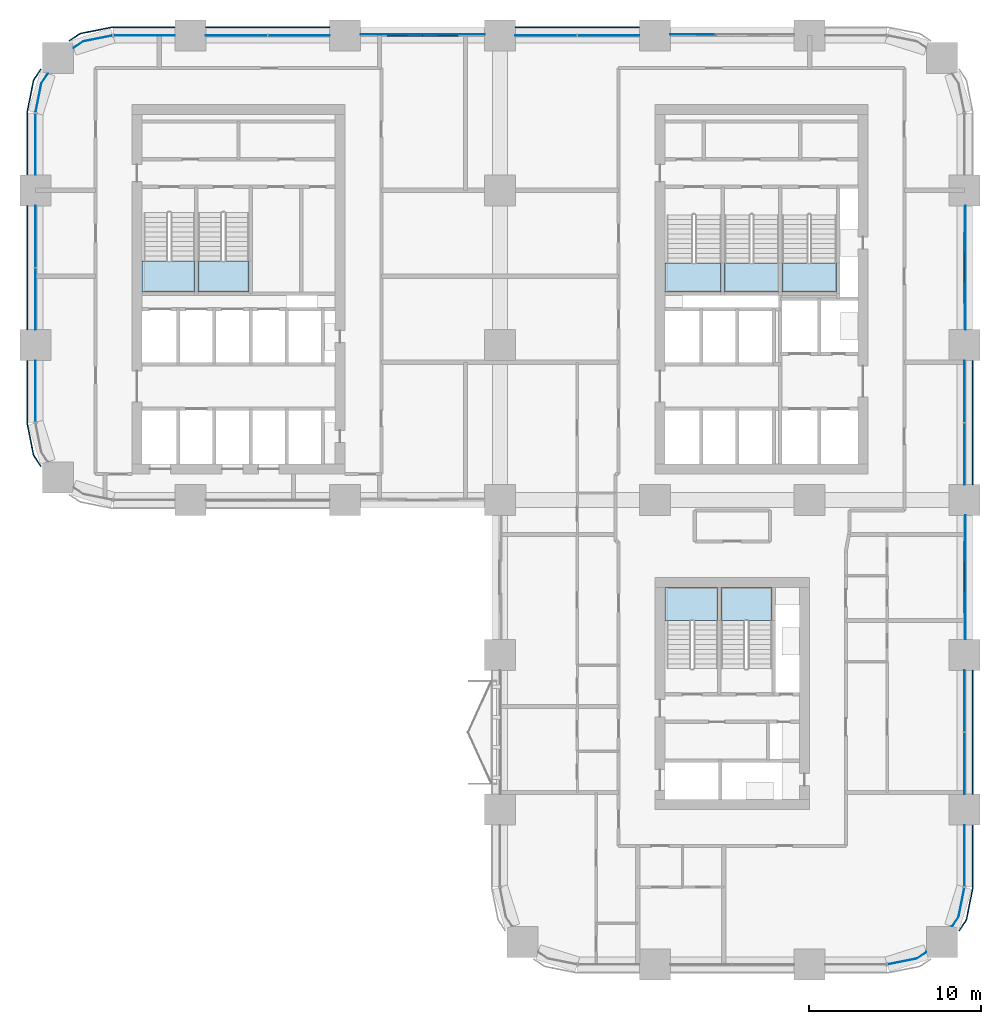
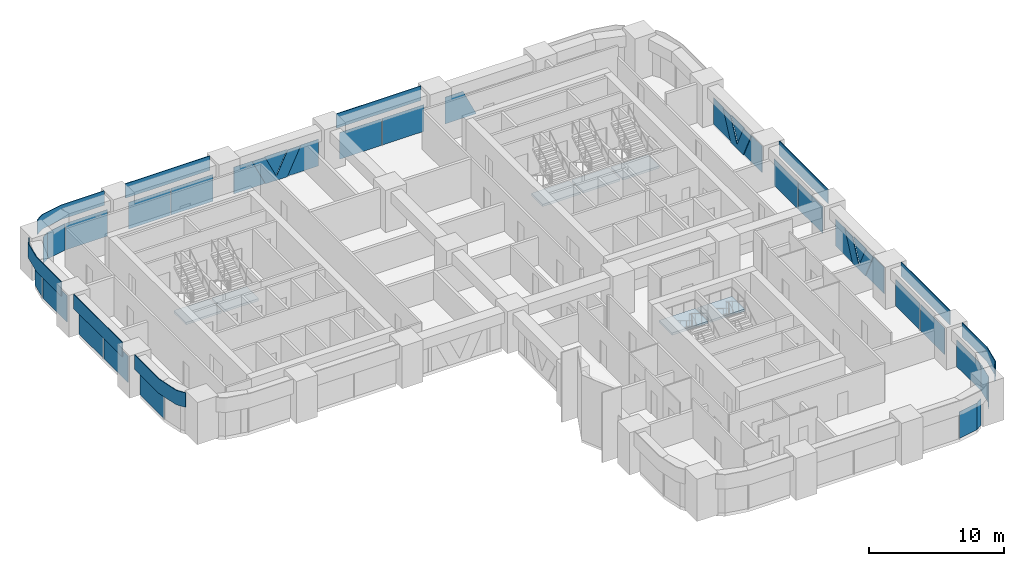
# One storey, part 11 of 19: 40 plates, 7 slabs, 21 elements without a shape of their own.
"""IFC4 building model written with IfcOpenShell, lengths in metres."""

import ifcopenshell
import ifcopenshell.guid

model = None  # the IFC model being written
_history = None  # IfcOwnerHistory: only IFC2X3 demands one
_inside = {}  # id of a spatial element -> (the spatial element, [elements in it])
_under = {}  # id of a project, library or spatial element -> (it, [spatial elements below it])
_declared = {}  # id of a project -> (the project, [libraries it declares])
_typed = {}  # id of a type object -> (the type object, [elements of that type])
_made_of = {}  # id of a material, layer set ... -> (it, [elements and type objects made of it])


def new_model(schema):
    """Start an empty IFC model of exactly this schema.

    Asked for "IFC4X3", IfcOpenShell would pick the latest addendum, in which some entities
    have other attributes; the version numbers below select the first issue.
    IFC2X3 requires an IfcOwnerHistory on every rooted entity: one is made here for all.
    """
    global model, _history
    if schema == "IFC4X3":
        model = ifcopenshell.file(schema_version=(4, 3, 0, 0))
    else:
        model = ifcopenshell.file(schema=schema)
    _inside.clear()
    _under.clear()
    _declared.clear()
    _typed.clear()
    _made_of.clear()
    _history = None
    if model.schema == "IFC2X3":
        org = make("IfcOrganization", Name="unknown")
        user = make(
            "IfcPersonAndOrganization",
            ThePerson=make("IfcPerson", FamilyName="unknown"),
            TheOrganization=org,
        )
        app = make(
            "IfcApplication",
            ApplicationDeveloper=org,
            Version="unknown",
            ApplicationFullName="unknown",
            ApplicationIdentifier="unknown",
        )
        _history = make(
            "IfcOwnerHistory",
            OwningUser=user,
            OwningApplication=app,
            ChangeAction="ADDED",
            CreationDate=0,
        )
    return model


def make(cls, **values):
    """One entity of the class cls with the attributes given. An attribute that is None is left unset."""
    return model.create_entity(
        cls, **{name: value for name, value in values.items() if value is not None}
    )


def rooted(cls, **values):
    """An entity with a GlobalId (a new one), such as an element, a storey or a relation."""
    return make(cls, GlobalId=ifcopenshell.guid.new(), OwnerHistory=_history, **values)


def si_unit(unit_type, name, prefix=None):
    """IfcSIUnit, for example si_unit("LENGTHUNIT", "METRE", prefix="MILLI")."""
    return make("IfcSIUnit", UnitType=unit_type, Prefix=prefix, Name=name)


def assignment(units):
    """IfcUnitAssignment: the units of a project."""
    return None if units is None else make("IfcUnitAssignment", Units=units)


def point(xyz):
    """IfcCartesianPoint."""
    return None if xyz is None else make("IfcCartesianPoint", Coordinates=xyz)


def direction(xyz):
    """IfcDirection."""
    return None if xyz is None else make("IfcDirection", DirectionRatios=xyz)


def frame(location, z_axis=None, x_axis=None):
    """IfcAxis2Placement3D, a coordinate frame: its origin and axes. An axis left out is left unset."""
    return make(
        "IfcAxis2Placement3D",
        Location=point(location),
        Axis=direction(z_axis),
        RefDirection=direction(x_axis),
    )


def frame_2d(location, x_axis=None):
    """IfcAxis2Placement2D, a coordinate frame in the plane: its origin and x axis."""
    return make(
        "IfcAxis2Placement2D", Location=point(location), RefDirection=direction(x_axis)
    )


def origin():
    """The frame at (0, 0, 0) with its axes left unset."""
    return frame((0.0, 0.0, 0.0))


def origin_2d():
    """The frame at (0, 0) in the plane with its x axis left unset."""
    return frame_2d((0.0, 0.0))


def place(relative_to, where):
    """IfcLocalPlacement: puts the frame where relative to a parent placement (None: the world)."""
    return make(
        "IfcLocalPlacement", PlacementRelTo=relative_to, RelativePlacement=where
    )


def context(
    kind, dimensions, precision=None, world=None, true_north=None, identifier=None
):
    """IfcGeometricRepresentationContext, for example the 3D "Model" context."""
    return make(
        "IfcGeometricRepresentationContext",
        ContextIdentifier=identifier,
        ContextType=kind,
        CoordinateSpaceDimension=dimensions,
        Precision=precision,
        WorldCoordinateSystem=world,
        TrueNorth=true_north,
    )


def subcontext(parent, identifier, kind, view, scale=None):
    """IfcGeometricRepresentationSubContext, for example "Body" below "Model"."""
    return make(
        "IfcGeometricRepresentationSubContext",
        ContextIdentifier=identifier,
        ContextType=kind,
        ParentContext=parent,
        TargetScale=scale,
        TargetView=view,
    )


def project(units=None, contexts=None):
    """IfcProject with its units and contexts."""
    return rooted(
        "IfcProject",
        Name="project",
        RepresentationContexts=contexts,
        UnitsInContext=assignment(units),
    )


def spatial(cls, under=None, at=None, **own):
    """A site, building, storey or space (cls), placed at a placement, below another one or the project."""
    s = rooted(cls, ObjectPlacement=at, **own)
    if under is not None:
        _under.setdefault(under.id(), (under, []))[1].append(s)
    return s


def polyline(points):
    """IfcPolyline through the points."""
    return make("IfcPolyline", Points=[point(p) for p in points])


def profile(cls, at=None, kind="AREA", **sizes):
    """A parametric profile (cls). Its sizes go by their IFC names, for example OverallWidth=200.0."""
    return make(cls, ProfileType=kind, Position=at, **sizes)


def rectangle(**sizes):
    """IfcRectangleProfileDef."""
    return profile("IfcRectangleProfileDef", **sizes)


def outline(outer, holes=None, kind="AREA"):
    """IfcArbitraryClosedProfileDef: a profile drawn as a closed curve; with holes, ...WithVoids."""
    if holes is None:
        return make("IfcArbitraryClosedProfileDef", ProfileType=kind, OuterCurve=outer)
    return make(
        "IfcArbitraryProfileDefWithVoids",
        ProfileType=kind,
        OuterCurve=outer,
        InnerCurves=holes,
    )


def extrude(swept, where, along, depth):
    """IfcExtrudedAreaSolid: the profile swept, set in the frame where, extruded along a direction by depth."""
    return make(
        "IfcExtrudedAreaSolid",
        SweptArea=swept,
        Position=where,
        ExtrudedDirection=direction(along),
        Depth=depth,
    )


def shape(context_of_items, identifier, shape_type, items):
    """IfcShapeRepresentation: the items that make up one representation, for example the "Body"."""
    return make(
        "IfcShapeRepresentation",
        ContextOfItems=context_of_items,
        RepresentationIdentifier=identifier,
        RepresentationType=shape_type,
        Items=items,
    )


def material(Name=None, Category=None):
    """IfcMaterial."""
    return make("IfcMaterial", Name=Name, Category=Category)


def layer(
    of_material, thickness, ventilated=None, Name=None, Category=None, Priority=None
):
    """IfcMaterialLayer: one layer of a wall or slab, of a material (None: an air gap)."""
    return make(
        "IfcMaterialLayer",
        Material=of_material,
        LayerThickness=thickness,
        IsVentilated=ventilated,
        Name=Name,
        Category=Category,
        Priority=Priority,
    )


def layer_set(layers, Name=None):
    """IfcMaterialLayerSet."""
    return make("IfcMaterialLayerSet", MaterialLayers=layers, LayerSetName=Name)


def made_of(thing, what):
    """Note that an element or type object is made of a material, layer set ...; save() writes the relation."""
    if what is not None:
        _made_of.setdefault(what.id(), (what, []))[1].append(thing)
    return thing


def type_object(cls, material=None, **own):
    """A type object (cls), such as IfcWallType, which elements share."""
    return made_of(rooted(cls, **own), material)


def element(
    cls,
    number,
    at=None,
    inside=None,
    cuts=None,
    type_object=None,
    material=None,
    context=None,
    identifier="Body",
    shape_type=None,
    held_by="IfcProductDefinitionShape",
    body=None,
    shapes=None,
    **own,
):
    """One element of the class cls, such as IfcWall. Its Tag is "e" and its number.

    at: its placement. inside: the storey or other place that contains it. cuts: it is an
    opening in that element (IfcRelVoidsElement). A single representation is given by context,
    identifier, shape_type and body (its items); several are given by shapes. held_by: the class
    of the entity that holds the representations. save() writes the other relations.
    """
    e = rooted(cls, Tag="e%d" % number, ObjectPlacement=at, **own)
    if body is not None:
        shapes = [shape(context, identifier, shape_type, body)]
    if shapes is not None:
        e.Representation = make(held_by, Representations=shapes)
    if inside is not None:
        _inside.setdefault(inside.id(), (inside, []))[1].append(e)
    if cuts is not None:
        rooted(
            "IfcRelVoidsElement", RelatingBuildingElement=cuts, RelatedOpeningElement=e
        )
    if type_object is not None:
        _typed.setdefault(type_object.id(), (type_object, []))[1].append(e)
    return made_of(e, material)


def aggregate(whole, parts):
    """IfcRelAggregates: a whole, such as a stair, and the parts it consists of."""
    return rooted("IfcRelAggregates", RelatingObject=whole, RelatedObjects=parts)


def save(model, path):
    """Write the relations noted so far, then the file.

    IfcRelAggregates (storeys below a building ...), IfcRelContainedInSpatialStructure (elements
    in a storey), IfcRelDefinesByType, IfcRelAssociatesMaterial and IfcRelDeclares: one each for
    every whole, place, type object, material and project.
    """
    for whole, parts in _under.values():
        aggregate(whole, parts)
    for where, things in _inside.values():
        rooted(
            "IfcRelContainedInSpatialStructure",
            RelatedElements=things,
            RelatingStructure=where,
        )
    for kind, things in _typed.values():
        rooted("IfcRelDefinesByType", RelatedObjects=things, RelatingType=kind)
    for what, things in _made_of.values():
        rooted("IfcRelAssociatesMaterial", RelatedObjects=things, RelatingMaterial=what)
    for by, libraries in _declared.values():
        rooted("IfcRelDeclares", RelatingContext=by, RelatedDefinitions=libraries)
    model.write(path)


model = new_model("IFC4")

# Units and contexts
model_context = context("Model", 3, precision=1e-05, world=origin(), true_north=direction((0.0, 1.0)))
body_context = subcontext(model_context, "Body", "Model", "MODEL_VIEW")
ifc_project = project(units=[si_unit("LENGTHUNIT", "METRE"), si_unit("AREAUNIT", "SQUARE_METRE"), si_unit("VOLUMEUNIT", "CUBIC_METRE"), si_unit("PLANEANGLEUNIT", "RADIAN"), si_unit("MASSUNIT", "GRAM", prefix="KILO")], contexts=[model_context])

# Site, building, storey
site_placement = place(None, origin())
site = spatial("IfcSite", under=ifc_project, at=site_placement, CompositionType="ELEMENT")
building_placement = place(site_placement, origin())
building = spatial("IfcBuilding", under=site, at=building_placement, Name="Tessera Arch", CompositionType="ELEMENT")
storey_placement = place(building_placement, frame((0.0, 0.0, 85.39990234375)))
storey = spatial("IfcBuildingStorey", under=building, at=storey_placement, Name="L19", CompositionType="ELEMENT", Elevation=85.39990234375)

# Curtain wall, plates
ifc_material_1 = material(Name="CW1 curtain wall")
curtain_wall_type_1 = type_object("IfcCurtainWallType", Name="CW1 curtain wall", PredefinedType="NOTDEFINED", material=ifc_material_1)
curtain_wall_1_placement = place(storey_placement, origin())
curtain_wall_1 = element("IfcCurtainWall", 1, at=curtain_wall_1_placement, inside=storey, type_object=curtain_wall_type_1, Name="CW1 curtain wall N54.0/1 L19", PredefinedType="NOTDEFINED")
ifc_material_2 = material(Name="Clear low-e glass", Category="glass")
ifc_material_3 = material(Name="Clear low-e glass", Category="glass")
ifc_layer_1 = layer(ifc_material_3, 0.028076171875)
ifc_layer_set_1 = layer_set([ifc_layer_1], Name="CW1 glass panel")
plate_type_1 = type_object("IfcPlateType", Name="CW1 glass panel", PredefinedType="CURTAIN_PANEL", material=ifc_layer_set_1)
plate_1_placement = place(storey_placement, frame((33.31494140625, 54.0, 0.000244140625), z_axis=(0.0, 0.0, 1.0), x_axis=(-1.0, 0.0, 0.0)))
plate_1 = element("IfcPlate", 2, at=plate_1_placement, type_object=plate_type_1, material=ifc_material_2, Name="CW1 glass panel N54.0/1 1.1.1", PredefinedType="CURTAIN_PANEL", context=body_context, shape_type="SweptSolid", body=[
    extrude(rectangle(XDim=3.570068359375, YDim=0.028076171875, at=origin_2d()), origin(), (0.0, 0.0, 1.0), 2.39990234375),
])
plate_2_placement = place(storey_placement, frame((29.68505859375, 54.0, 0.000244140625), z_axis=(0.0, 0.0, 1.0), x_axis=(-1.0, 0.0, 0.0)))
plate_2 = element("IfcPlate", 3, at=plate_2_placement, type_object=plate_type_1, material=ifc_material_2, Name="CW1 glass panel N54.0/1 1.2.1", PredefinedType="CURTAIN_PANEL", context=body_context, shape_type="SweptSolid", body=[
    extrude(rectangle(XDim=3.570068359375, YDim=0.028076171875, at=origin_2d()), origin(), (0.0, 0.0, 1.0), 2.39990234375),
])

curtain_wall_2_placement = place(storey_placement, origin())
curtain_wall_2 = element("IfcCurtainWall", 4, at=curtain_wall_2_placement, inside=storey, type_object=curtain_wall_type_1, Name="CW1 curtain wall N54.0/3 L19", PredefinedType="NOTDEFINED")
plate_3_placement = place(storey_placement, frame((15.31494140625, 54.0, 0.000244140625), z_axis=(0.0, 0.0, 1.0), x_axis=(-1.0, 0.0, 0.0)))
plate_3 = element("IfcPlate", 5, at=plate_3_placement, type_object=plate_type_1, material=ifc_material_2, Name="CW1 glass panel N54.0/3 1.1.1", PredefinedType="CURTAIN_PANEL", context=body_context, shape_type="SweptSolid", body=[
    extrude(rectangle(XDim=3.570068359375, YDim=0.028076171875, at=origin_2d()), origin(), (0.0, 0.0, 1.0), 2.39990234375),
])
plate_4_placement = place(storey_placement, frame((11.68505859375, 54.0, 0.000244140625), z_axis=(0.0, 0.0, 1.0), x_axis=(-1.0, 0.0, 0.0)))
plate_4 = element("IfcPlate", 6, at=plate_4_placement, type_object=plate_type_1, material=ifc_material_2, Name="CW1 glass panel N54.0/3 1.2.1", PredefinedType="CURTAIN_PANEL", context=body_context, shape_type="SweptSolid", body=[
    extrude(rectangle(XDim=3.570068359375, YDim=0.028076171875, at=origin_2d()), origin(), (0.0, 0.0, 1.0), 2.39990234375),
])

curtain_wall_3_placement = place(storey_placement, origin())
curtain_wall_3 = element("IfcCurtainWall", 7, at=curtain_wall_3_placement, inside=storey, type_object=curtain_wall_type_1, Name="CW1 curtain wall W0.27/1 L19", PredefinedType="NOTDEFINED")
plate_5_placement = place(storey_placement, frame((0.0, 42.31494140625, 0.000244140625), z_axis=(0.0, 0.0, 1.0), x_axis=(0.0, -1.0, 0.0)))
plate_5 = element("IfcPlate", 8, at=plate_5_placement, type_object=plate_type_1, material=ifc_material_2, Name="CW1 glass panel W0.27/1 1.1.1", PredefinedType="CURTAIN_PANEL", context=body_context, shape_type="SweptSolid", body=[
    extrude(rectangle(XDim=3.570068359375, YDim=0.028076171875, at=origin_2d()), origin(), (0.0, 0.0, 1.0), 2.39990234375),
])
plate_6_placement = place(storey_placement, frame((0.0, 38.68505859375, 0.000244140625), z_axis=(0.0, 0.0, 1.0), x_axis=(0.0, -1.0, 0.0)))
plate_6 = element("IfcPlate", 9, at=plate_6_placement, type_object=plate_type_1, material=ifc_material_2, Name="CW1 glass panel W0.27/1 1.2.1", PredefinedType="CURTAIN_PANEL", context=body_context, shape_type="SweptSolid", body=[
    extrude(rectangle(XDim=3.570068359375, YDim=0.028076171875, at=origin_2d()), origin(), (0.0, 0.0, 1.0), 2.39990234375),
])

curtain_wall_4_placement = place(storey_placement, origin())
curtain_wall_4 = element("IfcCurtainWall", 10, at=curtain_wall_4_placement, inside=storey, type_object=curtain_wall_type_1, Name="CW1 curtain wall E54.0/1 L19", PredefinedType="NOTDEFINED")
plate_7_placement = place(storey_placement, frame((54.0, 11.68505859375, 0.000244140625), z_axis=(0.0, 0.0, 1.0), x_axis=(0.0, 1.0, 0.0)))
plate_7 = element("IfcPlate", 11, at=plate_7_placement, type_object=plate_type_1, material=ifc_material_2, Name="CW1 glass panel E54.0/1 1.1.1", PredefinedType="CURTAIN_PANEL", context=body_context, shape_type="SweptSolid", body=[
    extrude(rectangle(XDim=3.570068359375, YDim=0.028076171875, at=origin_2d()), origin(), (0.0, 0.0, 1.0), 2.39990234375),
])
plate_8_placement = place(storey_placement, frame((54.0, 15.31494140625, 0.000244140625), z_axis=(0.0, 0.0, 1.0), x_axis=(0.0, 1.0, 0.0)))
plate_8 = element("IfcPlate", 12, at=plate_8_placement, type_object=plate_type_1, material=ifc_material_2, Name="CW1 glass panel E54.0/1 1.2.1", PredefinedType="CURTAIN_PANEL", context=body_context, shape_type="SweptSolid", body=[
    extrude(rectangle(XDim=3.570068359375, YDim=0.028076171875, at=origin_2d()), origin(), (0.0, 0.0, 1.0), 2.39990234375),
])

curtain_wall_5_placement = place(storey_placement, origin())
curtain_wall_5 = element("IfcCurtainWall", 13, at=curtain_wall_5_placement, inside=storey, type_object=curtain_wall_type_1, Name="CW1 curtain wall E54.0/3 L19", PredefinedType="NOTDEFINED")
plate_9_placement = place(storey_placement, frame((54.0, 29.68505859375, 0.000244140625), z_axis=(0.0, 0.0, 1.0), x_axis=(0.0, 1.0, 0.0)))
plate_9 = element("IfcPlate", 14, at=plate_9_placement, type_object=plate_type_1, material=ifc_material_2, Name="CW1 glass panel E54.0/3 1.1.1", PredefinedType="CURTAIN_PANEL", context=body_context, shape_type="SweptSolid", body=[
    extrude(rectangle(XDim=3.570068359375, YDim=0.028076171875, at=origin_2d()), origin(), (0.0, 0.0, 1.0), 2.39990234375),
])
plate_10_placement = place(storey_placement, frame((54.0, 33.31494140625, 0.000244140625), z_axis=(0.0, 0.0, 1.0), x_axis=(0.0, 1.0, 0.0)))
plate_10 = element("IfcPlate", 15, at=plate_10_placement, type_object=plate_type_1, material=ifc_material_2, Name="CW1 glass panel E54.0/3 1.2.1", PredefinedType="CURTAIN_PANEL", context=body_context, shape_type="SweptSolid", body=[
    extrude(rectangle(XDim=3.570068359375, YDim=0.028076171875, at=origin_2d()), origin(), (0.0, 0.0, 1.0), 2.39990234375),
])

# Plate
ifc_material_4 = material(Name="Pale anodised aluminium panel", Category="aluminium")
ifc_layer_2 = layer(ifc_material_4, 0.06005859375)
ifc_layer_set_2 = layer_set([ifc_layer_2], Name="CW1 spandrel panel")
plate_type_2 = type_object("IfcPlateType", Name="CW1 spandrel panel", PredefinedType="CURTAIN_PANEL", material=ifc_layer_set_2)
plate_11_placement = place(storey_placement, frame((31.5, 54.47998046875, 2.5), z_axis=(0.0, 0.0, 1.0), x_axis=(-1.0, 0.0, 0.0)))
plate_11 = element("IfcPlate", 16, at=plate_11_placement, type_object=plate_type_2, Name="CW1 spandrel panel N54.0/1", PredefinedType="CURTAIN_PANEL", context=body_context, shape_type="SweptSolid", body=[
    extrude(rectangle(XDim=7.199951171875, YDim=0.06005859375, at=origin_2d()), origin(), (0.0, 0.0, 1.0), 1.300048828125),
])

aggregate(curtain_wall_1, [plate_1, plate_2, plate_11])

plate_12_placement = place(storey_placement, frame((13.5, 54.47998046875, 2.5), z_axis=(0.0, 0.0, 1.0), x_axis=(-1.0, 0.0, 0.0)))
plate_12 = element("IfcPlate", 17, at=plate_12_placement, type_object=plate_type_2, Name="CW1 spandrel panel N54.0/3", PredefinedType="CURTAIN_PANEL", context=body_context, shape_type="SweptSolid", body=[
    extrude(rectangle(XDim=7.199951171875, YDim=0.06005859375, at=origin_2d()), origin(), (0.0, 0.0, 1.0), 1.300048828125),
])

aggregate(curtain_wall_2, [plate_3, plate_4, plate_12])

plate_13_placement = place(storey_placement, frame((-0.47998046875, 40.5, 2.5), z_axis=(0.0, 0.0, 1.0), x_axis=(0.0, -1.0, 0.0)))
plate_13 = element("IfcPlate", 18, at=plate_13_placement, type_object=plate_type_2, Name="CW1 spandrel panel W0.27/1", PredefinedType="CURTAIN_PANEL", context=body_context, shape_type="SweptSolid", body=[
    extrude(rectangle(XDim=7.199951171875, YDim=0.06005859375, at=origin_2d()), origin(), (0.0, 0.0, 1.0), 1.300048828125),
])

aggregate(curtain_wall_3, [plate_5, plate_6, plate_13])

plate_14_placement = place(storey_placement, frame((54.47998046875, 13.5, 2.5), z_axis=(0.0, 0.0, 1.0), x_axis=(0.0, 1.0, 0.0)))
plate_14 = element("IfcPlate", 19, at=plate_14_placement, type_object=plate_type_2, Name="CW1 spandrel panel E54.0/1", PredefinedType="CURTAIN_PANEL", context=body_context, shape_type="SweptSolid", body=[
    extrude(rectangle(XDim=7.199951171875, YDim=0.06005859375, at=origin_2d()), origin(), (0.0, 0.0, 1.0), 1.300048828125),
])

aggregate(curtain_wall_4, [plate_7, plate_8, plate_14])

plate_15_placement = place(storey_placement, frame((54.47998046875, 31.5, 2.5), z_axis=(0.0, 0.0, 1.0), x_axis=(0.0, 1.0, 0.0)))
plate_15 = element("IfcPlate", 20, at=plate_15_placement, type_object=plate_type_2, Name="CW1 spandrel panel E54.0/3", PredefinedType="CURTAIN_PANEL", context=body_context, shape_type="SweptSolid", body=[
    extrude(rectangle(XDim=7.199951171875, YDim=0.06005859375, at=origin_2d()), origin(), (0.0, 0.0, 1.0), 1.300048828125),
])

aggregate(curtain_wall_5, [plate_9, plate_10, plate_15])

# Curtain wall, plates
ifc_material_5 = material(Name="CW2 curtain wall")
curtain_wall_type_2 = type_object("IfcCurtainWallType", Name="CW2 curtain wall", PredefinedType="NOTDEFINED", material=ifc_material_5)
curtain_wall_6_placement = place(storey_placement, origin())
curtain_wall_6 = element("IfcCurtainWall", 21, at=curtain_wall_6_placement, inside=storey, type_object=curtain_wall_type_2, Name="CW2 curtain wall N54.0/4 L19", PredefinedType="NOTDEFINED")
ifc_material_6 = material(Name="Clear low-e glass", Category="glass")
ifc_layer_3 = layer(ifc_material_6, 0.028076171875)
ifc_layer_set_3 = layer_set([ifc_layer_3], Name="CW2 glass panel")
plate_type_3 = type_object("IfcPlateType", Name="CW2 glass panel", PredefinedType="CURTAIN_PANEL", material=ifc_layer_set_3)
plate_16_placement = place(storey_placement, frame((6.320068359375, 54.0, 0.000244140625), z_axis=(0.0, 0.0, 1.0), x_axis=(-1.0, 0.0, 0.0)))
plate_16 = element("IfcPlate", 22, at=plate_16_placement, type_object=plate_type_3, material=ifc_material_2, Name="CW2 glass panel N54.0/4 1.1", PredefinedType="CURTAIN_PANEL", context=body_context, shape_type="SweptSolid", body=[
    extrude(rectangle(XDim=3.56005859375, YDim=0.028076171875, at=origin_2d()), origin(), (0.0, 0.0, 1.0), 2.39990234375),
])
plate_17_placement = place(storey_placement, origin())
plate_17 = element("IfcPlate", 23, at=plate_17_placement, type_object=plate_type_3, material=ifc_material_2, Name="CW2 curved glass panel N54.0/4 2.1", PredefinedType="CURTAIN_PANEL", context=body_context, shape_type="SweptSolid", body=[
    extrude(outline(polyline([(2.783447265625, 53.644287109375), (4.46337890625, 53.978515625), (4.4580078125, 54.005859375), (2.7724609375, 53.670654296875), (2.210205078125, 53.294921875), (2.225830078125, 53.271728515625), (2.783447265625, 53.644287109375)])), origin(), (0.0, 0.0, 1.0), 2.400146484375),
])

curtain_wall_7_placement = place(storey_placement, origin())
curtain_wall_7 = element("IfcCurtainWall", 24, at=curtain_wall_7_placement, inside=storey, type_object=curtain_wall_type_2, Name="CW2 curtain wall W0.27/0 L19", PredefinedType="NOTDEFINED")
plate_18_placement = place(storey_placement, frame((0.0, 47.679931640625, 0.000244140625), z_axis=(0.0, 0.0, 1.0), x_axis=(0.0, -1.0, 0.0)))
plate_18 = element("IfcPlate", 25, at=plate_18_placement, type_object=plate_type_3, material=ifc_material_2, Name="CW2 glass panel W0.27/0 1.1", PredefinedType="CURTAIN_PANEL", context=body_context, shape_type="SweptSolid", body=[
    extrude(rectangle(XDim=3.56005859375, YDim=0.028076171875, at=origin_2d()), origin(), (0.0, 0.0, 1.0), 2.39990234375),
])
plate_19_placement = place(storey_placement, origin())
plate_19 = element("IfcPlate", 26, at=plate_19_placement, type_object=plate_type_3, material=ifc_material_2, Name="CW2 curved glass panel W0.27/0 2.1", PredefinedType="CURTAIN_PANEL", context=body_context, shape_type="SweptSolid", body=[
    extrude(outline(polyline([(0.355712890625, 51.216552734375), (0.728271484375, 51.774169921875), (0.705078125, 51.789794921875), (0.329345703125, 51.2275390625), (-0.005859375, 49.5419921875), (0.021484375, 49.53662109375), (0.355712890625, 51.216552734375)])), origin(), (0.0, 0.0, 1.0), 2.400146484375),
])

# Curtain wall, plate
curtain_wall_8_placement = place(storey_placement, origin())
curtain_wall_8 = element("IfcCurtainWall", 27, at=curtain_wall_8_placement, inside=storey, type_object=curtain_wall_type_2, Name="CW2 curtain wall W0.27/2 L19", PredefinedType="NOTDEFINED")
plate_20_placement = place(storey_placement, frame((0.0, 33.320068359375, 0.000244140625), z_axis=(0.0, 0.0, 1.0), x_axis=(0.0, -1.0, 0.0)))
plate_20 = element("IfcPlate", 28, at=plate_20_placement, type_object=plate_type_3, material=ifc_material_2, Name="CW2 glass panel W0.27/2 1.1", PredefinedType="CURTAIN_PANEL", context=body_context, shape_type="SweptSolid", body=[
    extrude(rectangle(XDim=3.56005859375, YDim=0.028076171875, at=origin_2d()), origin(), (0.0, 0.0, 1.0), 2.39990234375),
])

curtain_wall_9_placement = place(storey_placement, origin())
curtain_wall_9 = element("IfcCurtainWall", 29, at=curtain_wall_9_placement, inside=storey, type_object=curtain_wall_type_2, Name="CW2 curtain wall S0.27/2 L19", PredefinedType="NOTDEFINED")
plate_21_placement = place(storey_placement, origin())
plate_21 = element("IfcPlate", 30, at=plate_21_placement, type_object=plate_type_3, material=ifc_material_2, Name="CW2 curved glass panel S0.27/2 2.1", PredefinedType="CURTAIN_PANEL", context=body_context, shape_type="SweptSolid", body=[
    extrude(outline(polyline([(51.216552734375, 0.355712890625), (49.53662109375, 0.021484375), (49.5419921875, -0.005859375), (51.2275390625, 0.329345703125), (51.789794921875, 0.705078125), (51.774169921875, 0.728271484375), (51.216552734375, 0.355712890625)])), origin(), (0.0, 0.0, 1.0), 2.400146484375),
])
aggregate(curtain_wall_9, [plate_21])

# Curtain wall, plates
curtain_wall_10_placement = place(storey_placement, origin())
curtain_wall_10 = element("IfcCurtainWall", 31, at=curtain_wall_10_placement, inside=storey, type_object=curtain_wall_type_2, Name="CW2 curtain wall E54.0/0 L19", PredefinedType="NOTDEFINED")
plate_22_placement = place(storey_placement, frame((54.0, 6.320068359375, 0.000244140625), z_axis=(0.0, 0.0, 1.0), x_axis=(0.0, 1.0, 0.0)))
plate_22 = element("IfcPlate", 32, at=plate_22_placement, type_object=plate_type_3, material=ifc_material_2, Name="CW2 glass panel E54.0/0 1.1", PredefinedType="CURTAIN_PANEL", context=body_context, shape_type="SweptSolid", body=[
    extrude(rectangle(XDim=3.56005859375, YDim=0.028076171875, at=origin_2d()), origin(), (0.0, 0.0, 1.0), 2.39990234375),
])
plate_23_placement = place(storey_placement, origin())
plate_23 = element("IfcPlate", 33, at=plate_23_placement, type_object=plate_type_3, material=ifc_material_2, Name="CW2 curved glass panel E54.0/0 2.1", PredefinedType="CURTAIN_PANEL", context=body_context, shape_type="SweptSolid", body=[
    extrude(outline(polyline([(53.644287109375, 2.783447265625), (53.271728515625, 2.225830078125), (53.294921875, 2.210205078125), (53.670654296875, 2.7724609375), (54.005859375, 4.4580078125), (53.978515625, 4.46337890625), (53.644287109375, 2.783447265625)])), origin(), (0.0, 0.0, 1.0), 2.400146484375),
])

# Plate
ifc_material_7 = material(Name="Pale anodised aluminium panel", Category="aluminium")
ifc_layer_4 = layer(ifc_material_7, 0.06005859375)
ifc_layer_set_4 = layer_set([ifc_layer_4], Name="CW2 spandrel panel")
plate_type_4 = type_object("IfcPlateType", Name="CW2 spandrel panel", PredefinedType="CURTAIN_PANEL", material=ifc_layer_set_4)
plate_24_placement = place(storey_placement, frame((0.0, 0.0, 2.5)))
plate_24 = element("IfcPlate", 34, at=plate_24_placement, type_object=plate_type_4, Name="CW2 spandrel panel N54.0/4", PredefinedType="CURTAIN_PANEL", context=body_context, shape_type="SweptSolid", body=[
    extrude(outline(polyline([(4.500732421875, 54.449951171875), (8.10009765625, 54.449951171875), (8.10009765625, 54.510009765625), (4.499267578125, 54.510009765625), (4.449951171875, 54.507568359375), (4.401123046875, 54.500244140625), (2.677734375, 54.157470703125), (2.6298828125, 54.1455078125), (2.582763671875, 54.128662109375), (2.537353515625, 54.107177734375), (2.4951171875, 54.08203125), (1.9345703125, 53.707275390625), (1.968017578125, 53.657470703125), (2.52734375, 54.03125), (2.565673828125, 54.05419921875), (2.605712890625, 54.0732421875), (2.647216796875, 54.088134765625), (2.69091796875, 54.09912109375), (4.411376953125, 54.441162109375), (4.455810546875, 54.44775390625), (4.500732421875, 54.449951171875)])), origin(), (0.0, 0.0, 1.0), 1.300048828125),
])

aggregate(curtain_wall_6, [plate_16, plate_17, plate_24])

plate_25_placement = place(storey_placement, frame((0.0, 0.0, 2.5)))
plate_25 = element("IfcPlate", 35, at=plate_25_placement, type_object=plate_type_4, Name="CW2 spandrel panel W0.27/0", PredefinedType="CURTAIN_PANEL", context=body_context, shape_type="SweptSolid", body=[
    extrude(outline(polyline([(-0.03125, 51.47265625), (0.342529296875, 52.031982421875), (0.292724609375, 52.0654296875), (-0.08203125, 51.5048828125), (-0.107177734375, 51.462646484375), (-0.128662109375, 51.417236328125), (-0.1455078125, 51.3701171875), (-0.157470703125, 51.322265625), (-0.500244140625, 49.598876953125), (-0.507568359375, 49.550048828125), (-0.510009765625, 49.500732421875), (-0.510009765625, 45.89990234375), (-0.449951171875, 45.89990234375), (-0.449951171875, 49.499267578125), (-0.44775390625, 49.544189453125), (-0.441162109375, 49.588623046875), (-0.09912109375, 51.30908203125), (-0.088134765625, 51.352783203125), (-0.0732421875, 51.394287109375), (-0.05419921875, 51.434326171875), (-0.03125, 51.47265625)])), origin(), (0.0, 0.0, 1.0), 1.300048828125),
])

aggregate(curtain_wall_7, [plate_18, plate_19, plate_25])

plate_26_placement = place(storey_placement, frame((0.0, 0.0, 2.5)))
plate_26 = element("IfcPlate", 36, at=plate_26_placement, type_object=plate_type_4, Name="CW2 spandrel panel W0.27/2", PredefinedType="CURTAIN_PANEL", context=body_context, shape_type="SweptSolid", body=[
    extrude(outline(polyline([(-0.449951171875, 31.500732421875), (-0.449951171875, 35.10009765625), (-0.510009765625, 35.10009765625), (-0.510009765625, 31.499267578125), (-0.507568359375, 31.449951171875), (-0.500244140625, 31.401123046875), (-0.157470703125, 29.677734375), (-0.1455078125, 29.6298828125), (-0.128662109375, 29.582763671875), (-0.107177734375, 29.537353515625), (-0.08203125, 29.4951171875), (0.292724609375, 28.9345703125), (0.342529296875, 28.968017578125), (-0.03125, 29.52734375), (-0.05419921875, 29.565673828125), (-0.0732421875, 29.605712890625), (-0.088134765625, 29.647216796875), (-0.09912109375, 29.69091796875), (-0.441162109375, 31.411376953125), (-0.44775390625, 31.455810546875), (-0.449951171875, 31.500732421875)])), origin(), (0.0, 0.0, 1.0), 1.300048828125),
])

aggregate(curtain_wall_8, [plate_20, plate_26])

plate_27_placement = place(storey_placement, frame((0.0, 0.0, 2.5)))
plate_27 = element("IfcPlate", 37, at=plate_27_placement, type_object=plate_type_4, Name="CW2 spandrel panel E54.0/0", PredefinedType="CURTAIN_PANEL", context=body_context, shape_type="SweptSolid", body=[
    extrude(outline(polyline([(54.03125, 2.52734375), (53.657470703125, 1.968017578125), (53.707275390625, 1.9345703125), (54.08203125, 2.4951171875), (54.107177734375, 2.537353515625), (54.128662109375, 2.582763671875), (54.1455078125, 2.6298828125), (54.157470703125, 2.677734375), (54.500244140625, 4.401123046875), (54.507568359375, 4.449951171875), (54.510009765625, 4.499267578125), (54.510009765625, 8.10009765625), (54.449951171875, 8.10009765625), (54.449951171875, 4.500732421875), (54.44775390625, 4.455810546875), (54.441162109375, 4.411376953125), (54.09912109375, 2.69091796875), (54.088134765625, 2.647216796875), (54.0732421875, 2.605712890625), (54.05419921875, 2.565673828125), (54.03125, 2.52734375)])), origin(), (0.0, 0.0, 1.0), 1.300048828125),
])

aggregate(curtain_wall_10, [plate_22, plate_23, plate_27])

# Curtain wall, plate
ifc_material_8 = material(Name="CW3 curtain wall")
curtain_wall_type_3 = type_object("IfcCurtainWallType", Name="CW3 curtain wall", PredefinedType="NOTDEFINED", material=ifc_material_8)
curtain_wall_11_placement = place(storey_placement, origin())
curtain_wall_11 = element("IfcCurtainWall", 38, at=curtain_wall_11_placement, inside=storey, type_object=curtain_wall_type_3, Name="CW3 curtain wall N54.0/2 L19", PredefinedType="NOTDEFINED")
ifc_material_9 = material(Name="Pale anodised aluminium panel", Category="aluminium")
ifc_layer_5 = layer(ifc_material_9, 0.06005859375)
ifc_layer_set_5 = layer_set([ifc_layer_5], Name="CW3 diagonal panel")
plate_type_5 = type_object("IfcPlateType", Name="CW3 diagonal panel", PredefinedType="CURTAIN_PANEL", material=ifc_layer_set_5)
plate_28_placement = place(storey_placement, frame((20.434326171875, 54.030029296875, 2.400146484375), z_axis=(0.0, 1.0, 0.0), x_axis=(1.0, 0.0, 0.0)))
plate_28 = element("IfcPlate", 39, at=plate_28_placement, type_object=plate_type_5, Name="CW3 diagonal panel N54.0/2 1", PredefinedType="CURTAIN_PANEL", context=body_context, shape_type="SweptSolid", body=[
    extrude(outline(polyline([(0.0, 0.0), (1.099853515625, 0.0), (2.065673828125, 2.0390625), (3.031494140625, 0.0), (4.13134765625, 0.0), (2.99462890625, 2.400146484375), (1.13671875, 2.400146484375), (0.0, 0.0)])), origin(), (0.0, 0.0, -1.0), 0.06005859375),
])

curtain_wall_12_placement = place(storey_placement, origin())
curtain_wall_12 = element("IfcCurtainWall", 40, at=curtain_wall_12_placement, inside=storey, type_object=curtain_wall_type_3, Name="CW3 curtain wall E54.0/2 L19", PredefinedType="NOTDEFINED")
plate_29_placement = place(storey_placement, frame((54.030029296875, 24.565673828125, 2.400146484375), z_axis=(1.0, 0.0, 0.0), x_axis=(0.0, -1.0, 0.0)))
plate_29 = element("IfcPlate", 41, at=plate_29_placement, type_object=plate_type_5, Name="CW3 diagonal panel E54.0/2 1", PredefinedType="CURTAIN_PANEL", context=body_context, shape_type="SweptSolid", body=[
    extrude(outline(polyline([(0.0, 0.0), (1.099853515625, 0.0), (2.065673828125, 2.0390625), (3.031494140625, 0.0), (4.13134765625, 0.0), (2.99462890625, 2.400146484375), (1.13671875, 2.400146484375), (0.0, 0.0)])), origin(), (0.0, 0.0, -1.0), 0.06005859375),
])

curtain_wall_13_placement = place(storey_placement, origin())
curtain_wall_13 = element("IfcCurtainWall", 42, at=curtain_wall_13_placement, inside=storey, type_object=curtain_wall_type_3, Name="CW3 curtain wall E54.0/4 L19", PredefinedType="NOTDEFINED")
plate_30_placement = place(storey_placement, frame((54.030029296875, 42.565673828125, 2.400146484375), z_axis=(1.0, 0.0, 0.0), x_axis=(0.0, -1.0, 0.0)))
plate_30 = element("IfcPlate", 43, at=plate_30_placement, type_object=plate_type_5, Name="CW3 diagonal panel E54.0/4 1", PredefinedType="CURTAIN_PANEL", context=body_context, shape_type="SweptSolid", body=[
    extrude(outline(polyline([(0.0, 0.0), (1.099853515625, 0.0), (2.065673828125, 2.0390625), (3.031494140625, 0.0), (4.13134765625, 0.0), (2.99462890625, 2.400146484375), (1.13671875, 2.400146484375), (0.0, 0.0)])), origin(), (0.0, 0.0, -1.0), 0.06005859375),
])

curtain_wall_14_placement = place(storey_placement, origin())
curtain_wall_14 = element("IfcCurtainWall", 44, at=curtain_wall_14_placement, inside=storey, type_object=curtain_wall_type_3, Name="CW3 curtain wall N54.0/0 L19", PredefinedType="NOTDEFINED")
ifc_material_10 = material(Name="Clear low-e glass", Category="glass")
ifc_layer_6 = layer(ifc_material_10, 0.028076171875)
ifc_layer_set_6 = layer_set([ifc_layer_6], Name="CW3 glass panel")
plate_type_6 = type_object("IfcPlateType", Name="CW3 glass panel", PredefinedType="CURTAIN_PANEL", material=ifc_layer_set_6)
plate_31_placement = place(storey_placement, frame((36.89990234375, 54.05810546875, 2.400146484375), z_axis=(0.0, 1.0, 0.0), x_axis=(1.0, 0.0, 0.0)))
plate_31 = element("IfcPlate", 45, at=plate_31_placement, type_object=plate_type_6, material=ifc_material_2, Name="CW3 triangulated glass panel N54.0/0 3", PredefinedType="CURTAIN_PANEL", context=body_context, shape_type="SweptSolid", body=[
    extrude(outline(polyline([(0.0, 0.0), (1.534423828125, 0.0), (2.671142578125, 2.400146484375), (0.0, 2.400146484375), (0.0, 0.0)])), origin(), (0.0, 0.0, -1.0), 0.028076171875),
])
aggregate(curtain_wall_14, [plate_31])

# Plate
plate_32_placement = place(storey_placement, frame((26.10009765625, 54.05810546875, 0.0), z_axis=(0.0, 1.0, 0.0), x_axis=(-1.0, 0.0, 0.0)))
plate_32 = element("IfcPlate", 46, at=plate_32_placement, type_object=plate_type_6, material=ifc_material_2, Name="CW3 triangulated glass panel N54.0/2 1", PredefinedType="CURTAIN_PANEL", context=body_context, shape_type="SweptSolid", body=[
    extrude(outline(polyline([(0.0, 0.0), (2.671142578125, 0.0), (1.534423828125, 2.400146484375), (0.0, 2.400146484375), (0.0, 0.0)])), origin(), (0.0, 0.0, -1.0), 0.028076171875),
])

plate_33_placement = place(storey_placement, frame((21.5341796875, 54.0859375, 2.400146484375), z_axis=(0.0, 1.0, 0.0), x_axis=(1.0, 0.0, 0.0)))
plate_33 = element("IfcPlate", 47, at=plate_33_placement, type_object=plate_type_6, material=ifc_material_2, Name="CW3 triangulated glass panel N54.0/2 2", PredefinedType="CURTAIN_PANEL", context=body_context, shape_type="SweptSolid", body=[
    extrude(outline(polyline([(0.0, 0.0), (1.931640625, 0.0), (0.9658203125, 2.0390625), (0.0, 0.0)])), origin(), (0.0, 0.0, -1.0), 0.028076171875),
])

plate_34_placement = place(storey_placement, frame((18.89990234375, 54.05810546875, 2.400146484375), z_axis=(0.0, 1.0, 0.0), x_axis=(1.0, 0.0, 0.0)))
plate_34 = element("IfcPlate", 48, at=plate_34_placement, type_object=plate_type_6, material=ifc_material_2, Name="CW3 triangulated glass panel N54.0/2 3", PredefinedType="CURTAIN_PANEL", context=body_context, shape_type="SweptSolid", body=[
    extrude(outline(polyline([(0.0, 0.0), (1.534423828125, 0.0), (2.671142578125, 2.400146484375), (0.0, 2.400146484375), (0.0, 0.0)])), origin(), (0.0, 0.0, -1.0), 0.028076171875),
])

aggregate(curtain_wall_11, [plate_32, plate_33, plate_34, plate_28])

plate_35_placement = place(storey_placement, frame((54.05810546875, 18.89990234375, 0.0), z_axis=(1.0, 0.0, 0.0), x_axis=(0.0, 1.0, 0.0)))
plate_35 = element("IfcPlate", 49, at=plate_35_placement, type_object=plate_type_6, material=ifc_material_2, Name="CW3 triangulated glass panel E54.0/2 1", PredefinedType="CURTAIN_PANEL", context=body_context, shape_type="SweptSolid", body=[
    extrude(outline(polyline([(0.0, 0.0), (2.671142578125, 0.0), (1.534423828125, 2.400146484375), (0.0, 2.400146484375), (0.0, 0.0)])), origin(), (0.0, 0.0, -1.0), 0.028076171875),
])

plate_36_placement = place(storey_placement, frame((54.0859375, 23.4658203125, 2.400146484375), z_axis=(1.0, 0.0, 0.0), x_axis=(0.0, -1.0, 0.0)))
plate_36 = element("IfcPlate", 50, at=plate_36_placement, type_object=plate_type_6, material=ifc_material_2, Name="CW3 triangulated glass panel E54.0/2 2", PredefinedType="CURTAIN_PANEL", context=body_context, shape_type="SweptSolid", body=[
    extrude(outline(polyline([(0.0, 0.0), (1.931640625, 0.0), (0.9658203125, 2.0390625), (0.0, 0.0)])), origin(), (0.0, 0.0, -1.0), 0.028076171875),
])

plate_37_placement = place(storey_placement, frame((54.05810546875, 26.10009765625, 2.400146484375), z_axis=(1.0, 0.0, 0.0), x_axis=(0.0, -1.0, 0.0)))
plate_37 = element("IfcPlate", 51, at=plate_37_placement, type_object=plate_type_6, material=ifc_material_2, Name="CW3 triangulated glass panel E54.0/2 3", PredefinedType="CURTAIN_PANEL", context=body_context, shape_type="SweptSolid", body=[
    extrude(outline(polyline([(0.0, 0.0), (1.534423828125, 0.0), (2.671142578125, 2.400146484375), (0.0, 2.400146484375), (0.0, 0.0)])), origin(), (0.0, 0.0, -1.0), 0.028076171875),
])

aggregate(curtain_wall_12, [plate_35, plate_36, plate_37, plate_29])

plate_38_placement = place(storey_placement, frame((54.05810546875, 36.89990234375, 0.0), z_axis=(1.0, 0.0, 0.0), x_axis=(0.0, 1.0, 0.0)))
plate_38 = element("IfcPlate", 52, at=plate_38_placement, type_object=plate_type_6, material=ifc_material_2, Name="CW3 triangulated glass panel E54.0/4 1", PredefinedType="CURTAIN_PANEL", context=body_context, shape_type="SweptSolid", body=[
    extrude(outline(polyline([(0.0, 0.0), (2.671142578125, 0.0), (1.534423828125, 2.400146484375), (0.0, 2.400146484375), (0.0, 0.0)])), origin(), (0.0, 0.0, -1.0), 0.028076171875),
])

plate_39_placement = place(storey_placement, frame((54.0859375, 41.4658203125, 2.400146484375), z_axis=(1.0, 0.0, 0.0), x_axis=(0.0, -1.0, 0.0)))
plate_39 = element("IfcPlate", 53, at=plate_39_placement, type_object=plate_type_6, material=ifc_material_2, Name="CW3 triangulated glass panel E54.0/4 2", PredefinedType="CURTAIN_PANEL", context=body_context, shape_type="SweptSolid", body=[
    extrude(outline(polyline([(0.0, 0.0), (1.931640625, 0.0), (0.9658203125, 2.0390625), (0.0, 0.0)])), origin(), (0.0, 0.0, -1.0), 0.028076171875),
])

plate_40_placement = place(storey_placement, frame((54.05810546875, 44.10009765625, 2.400146484375), z_axis=(1.0, 0.0, 0.0), x_axis=(0.0, -1.0, 0.0)))
plate_40 = element("IfcPlate", 54, at=plate_40_placement, type_object=plate_type_6, material=ifc_material_2, Name="CW3 triangulated glass panel E54.0/4 3", PredefinedType="CURTAIN_PANEL", context=body_context, shape_type="SweptSolid", body=[
    extrude(outline(polyline([(0.0, 0.0), (1.534423828125, 0.0), (2.671142578125, 2.400146484375), (0.0, 2.400146484375), (0.0, 0.0)])), origin(), (0.0, 0.0, -1.0), 0.028076171875),
])

aggregate(curtain_wall_13, [plate_38, plate_39, plate_40, plate_30])

# Stair, slab
ifc_material_11 = material(Name="Concrete C40/50", Category="concrete")
stair_type_1 = type_object("IfcStairType", Name="Dogleg stair 1520", PredefinedType="HALF_TURN_STAIR", material=ifc_material_11)
stair_1_placement = place(storey_placement, origin())
stair_1 = element("IfcStair", 55, at=stair_1_placement, inside=storey, type_object=stair_type_1, Name="L19 S1a", PredefinedType="HALF_TURN_STAIR")
ifc_material_12 = material(Name="Concrete C40/50", Category="concrete")
ifc_layer_7 = layer(ifc_material_12, 0.300048828125)
ifc_layer_set_7 = layer_set([ifc_layer_7], Name="Stair landing 300")
slab_type = type_object("IfcSlabType", Name="Stair landing 300", PredefinedType="LANDING", material=ifc_layer_set_7)
slab_1_placement = place(storey_placement, frame((0.0, 0.0, 1.7001953125)))
slab_1 = element("IfcSlab", 56, at=slab_1_placement, type_object=slab_type, Name="S1a landing 1", PredefinedType="LANDING", context=body_context, shape_type="SweptSolid", body=[
    extrude(outline(polyline([(36.60009765625, 40.780029296875), (36.60009765625, 39.10009765625), (39.85009765625, 39.10009765625), (39.85009765625, 40.780029296875), (36.60009765625, 40.780029296875)])), origin(), (0.0, 0.0, 1.0), 0.199951171875),
])
aggregate(stair_1, [slab_1])

stair_2_placement = place(storey_placement, origin())
stair_2 = element("IfcStair", 57, at=stair_2_placement, inside=storey, type_object=stair_type_1, Name="L19 S1b", PredefinedType="HALF_TURN_STAIR")
slab_2_placement = place(storey_placement, frame((0.0, 0.0, 1.7001953125)))
slab_2 = element("IfcSlab", 58, at=slab_2_placement, type_object=slab_type, Name="S1b landing 1", PredefinedType="LANDING", context=body_context, shape_type="SweptSolid", body=[
    extrude(outline(polyline([(40.050048828125, 40.780029296875), (40.050048828125, 39.10009765625), (43.199951171875, 39.10009765625), (43.199951171875, 40.780029296875), (40.050048828125, 40.780029296875)])), origin(), (0.0, 0.0, 1.0), 0.199951171875),
])
aggregate(stair_2, [slab_2])

stair_3_placement = place(storey_placement, origin())
stair_3 = element("IfcStair", 59, at=stair_3_placement, inside=storey, type_object=stair_type_1, Name="L19 S1c", PredefinedType="HALF_TURN_STAIR")
slab_3_placement = place(storey_placement, frame((0.0, 0.0, 1.7001953125)))
slab_3 = element("IfcSlab", 60, at=slab_3_placement, type_object=slab_type, Name="S1c landing 1", PredefinedType="LANDING", context=body_context, shape_type="SweptSolid", body=[
    extrude(outline(polyline([(43.39990234375, 40.780029296875), (43.39990234375, 39.10009765625), (46.550048828125, 39.10009765625), (46.550048828125, 40.780029296875), (43.39990234375, 40.780029296875)])), origin(), (0.0, 0.0, 1.0), 0.199951171875),
])
aggregate(stair_3, [slab_3])

ifc_material_13 = material(Name="Concrete C40/50", Category="concrete")
stair_type_2 = type_object("IfcStairType", Name="Dogleg stair 1400", PredefinedType="HALF_TURN_STAIR", material=ifc_material_13)
stair_4_placement = place(storey_placement, origin())
stair_4 = element("IfcStair", 61, at=stair_4_placement, inside=storey, type_object=stair_type_2, Name="L19 S2a", PredefinedType="HALF_TURN_STAIR")
slab_4_placement = place(storey_placement, frame((0.0, 0.0, 1.7001953125)))
slab_4 = element("IfcSlab", 62, at=slab_4_placement, type_object=slab_type, Name="S2a landing 1", PredefinedType="LANDING", context=body_context, shape_type="SweptSolid", body=[
    extrude(outline(polyline([(6.199951171875, 40.89990234375), (6.199951171875, 39.10009765625), (9.25, 39.10009765625), (9.25, 40.89990234375), (6.199951171875, 40.89990234375)])), origin(), (0.0, 0.0, 1.0), 0.199951171875),
])
aggregate(stair_4, [slab_4])

stair_5_placement = place(storey_placement, origin())
stair_5 = element("IfcStair", 63, at=stair_5_placement, inside=storey, type_object=stair_type_2, Name="L19 S2b", PredefinedType="HALF_TURN_STAIR")
slab_5_placement = place(storey_placement, frame((0.0, 0.0, 1.7001953125)))
slab_5 = element("IfcSlab", 64, at=slab_5_placement, type_object=slab_type, Name="S2b landing 1", PredefinedType="LANDING", context=body_context, shape_type="SweptSolid", body=[
    extrude(outline(polyline([(9.449951171875, 40.89990234375), (9.449951171875, 39.10009765625), (12.39990234375, 39.10009765625), (12.39990234375, 40.89990234375), (9.449951171875, 40.89990234375)])), origin(), (0.0, 0.0, 1.0), 0.199951171875),
])
aggregate(stair_5, [slab_5])

stair_6_placement = place(storey_placement, origin())
stair_6 = element("IfcStair", 65, at=stair_6_placement, inside=storey, type_object=stair_type_2, Name="L19 S3a", PredefinedType="HALF_TURN_STAIR")
slab_6_placement = place(storey_placement, frame((0.0, 0.0, 1.7001953125)))
slab_6 = element("IfcSlab", 66, at=slab_6_placement, type_object=slab_type, Name="S3a landing 1", PredefinedType="LANDING", context=body_context, shape_type="SweptSolid", body=[
    extrude(outline(polyline([(39.64990234375, 20.0), (39.64990234375, 21.89990234375), (36.60009765625, 21.89990234375), (36.60009765625, 20.0), (39.64990234375, 20.0)])), origin(), (0.0, 0.0, 1.0), 0.199951171875),
])
aggregate(stair_6, [slab_6])

stair_7_placement = place(storey_placement, origin())
stair_7 = element("IfcStair", 67, at=stair_7_placement, inside=storey, type_object=stair_type_2, Name="L19 S3b", PredefinedType="HALF_TURN_STAIR")
slab_7_placement = place(storey_placement, frame((0.0, 0.0, 1.7001953125)))
slab_7 = element("IfcSlab", 68, at=slab_7_placement, type_object=slab_type, Name="S3b landing 1", PredefinedType="LANDING", context=body_context, shape_type="SweptSolid", body=[
    extrude(outline(polyline([(42.800048828125, 20.0), (42.800048828125, 21.89990234375), (39.85009765625, 21.89990234375), (39.85009765625, 20.0), (42.800048828125, 20.0)])), origin(), (0.0, 0.0, 1.0), 0.199951171875),
])
aggregate(stair_7, [slab_7])

save(model, "model.ifc")
